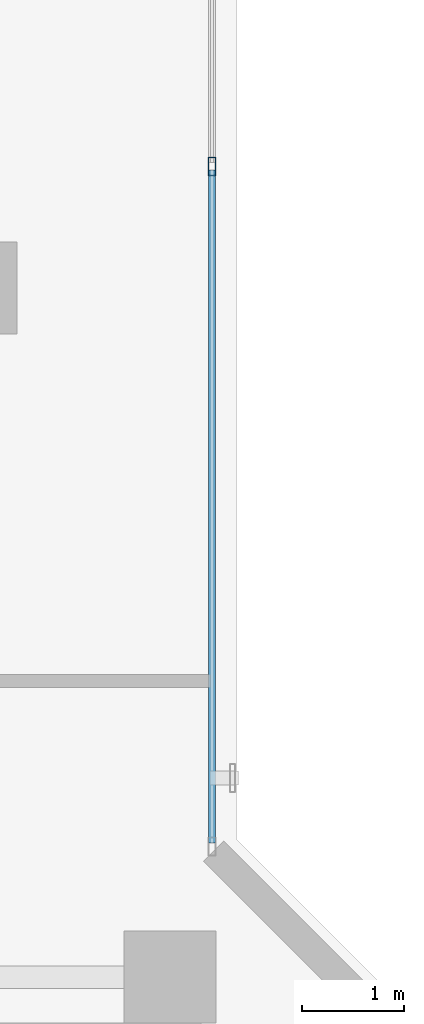
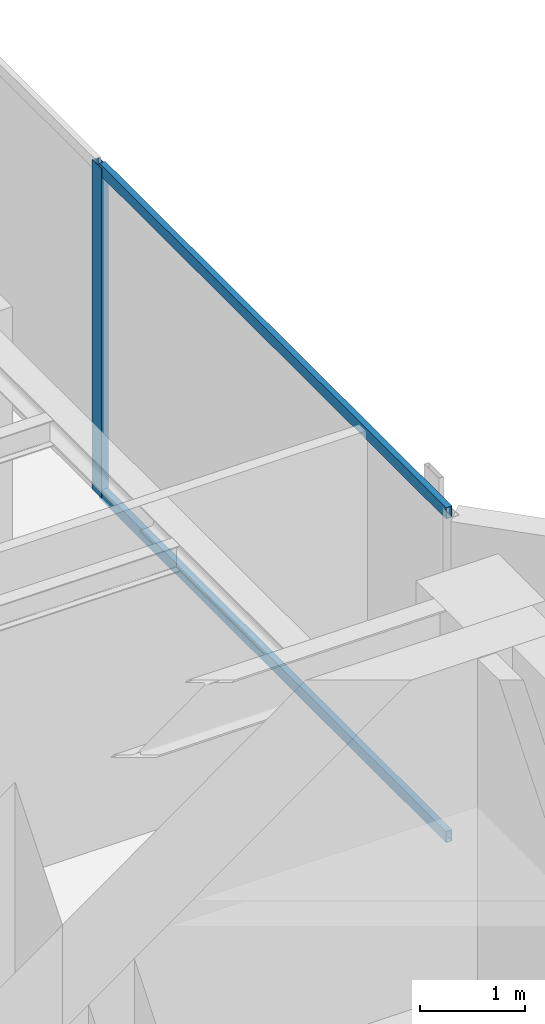
# One storey, part 14 of 32: 3 members, 1 element without a shape of its own.
"""IFC4 building model written with IfcOpenShell, lengths in metres."""

from ifc_helpers import new_model, si_unit, direction, frame, origin, origin_with_axes, origin_2d, place, context, subcontext, project, spatial, hollow_rectangle, extrude, source, transform, mapped, material, layer, layer_set, material_profile, profile_set, type_object, element, aggregate, save


model = new_model("IFC4")

# Units and contexts
model_context = context("Model", 3, precision=1e-05, world=origin(), true_north=direction((0.0, 1.0)))
body_context = subcontext(model_context, "Body", "Model", "MODEL_VIEW")
ifc_project = project(units=[si_unit("LENGTHUNIT", "METRE"), si_unit("AREAUNIT", "SQUARE_METRE"), si_unit("VOLUMEUNIT", "CUBIC_METRE"), si_unit("PLANEANGLEUNIT", "RADIAN"), si_unit("MASSUNIT", "GRAM", prefix="KILO")], contexts=[model_context])

# Site, building, storey
site_placement = place(None, origin())
site = spatial("IfcSite", under=ifc_project, at=site_placement, CompositionType="ELEMENT")
building_placement = place(site_placement, origin())
building = spatial("IfcBuilding", under=site, at=building_placement, Name="Kolvaren Waterfront Exchange", CompositionType="ELEMENT")
storey_placement = place(building_placement, frame((0.0, 0.0, 352.0)))
storey = spatial("IfcBuildingStorey", under=building, at=storey_placement, Name="L90", CompositionType="ELEMENT", Elevation=352.0)

# Curtain wall, members
ifc_material = material(Name="Anodised bronze aluminium 6063-T6", Category="aluminium")
ifc_layer = layer(ifc_material, 0.219970703125, Name="Anodised bronze aluminium 6063-T6")
ifc_layer_set = layer_set([ifc_layer], Name="Anodised bronze aluminium 6063-T6")
curtain_wall_type = type_object("IfcCurtainWallType", Name="ARC-CW-SYS5", PredefinedType="USERDEFINED", material=ifc_layer_set)
curtain_wall_placement = place(storey_placement, origin())
curtain_wall = element("IfcCurtainWall", 1, at=curtain_wall_placement, inside=storey, type_object=curtain_wall_type, Name="L90 stick curtain wall CW5 (CW-L90-NE)", ObjectType="STICK CURTAIN WALL", PredefinedType="USERDEFINED")
ifc_material_profile_1 = material_profile(ifc_material, hollow_rectangle(XDim=0.06494140625, YDim=0.1298828125, WallThickness=0.00390625, at=origin_2d()), Name="ALU-TRN-130x65x4")
ifc_profile_set_1 = profile_set([ifc_material_profile_1], Name="Anodised bronze aluminium 6063-T6")
member_type_1 = type_object("IfcMemberType", Name="ARC-CWT-130", PredefinedType="USERDEFINED", material=ifc_profile_set_1)
shared_shape_1 = source(origin_with_axes(), body_context, "Body", "SweptSolid", [
    extrude(hollow_rectangle(XDim=0.06494140625, YDim=0.1298828125, WallThickness=0.00390625, at=origin_2d()), origin(), (0.0, 0.0, 1.0), 6.5908203125),
])
member_1_placement = place(storey_placement, frame((21.159912109375, 25.764892578125, 0.032470703125), z_axis=(0.0, 1.0, 0.0), x_axis=(-1.0, 0.0, 0.0)))
member_1 = element("IfcMember", 2, at=member_1_placement, type_object=member_type_1, Name="CW5 transom 1.1", ObjectType="TRANSOM", PredefinedType="USERDEFINED", context=body_context, shape_type="MappedRepresentation", body=[
    mapped(shared_shape_1, transform((0.0, 0.0, 0.0), x_axis=(1.0, 0.0, 0.0), y_axis=(0.0, 1.0, 0.0), z_axis=(0.0, 0.0, 1.0), scale=1.0)),
])
member_2_placement = place(storey_placement, frame((21.159912109375, 25.764892578125, 3.78759765625), z_axis=(0.0, 1.0, 0.0), x_axis=(-1.0, 0.0, 0.0)))
member_2 = element("IfcMember", 3, at=member_2_placement, type_object=member_type_1, Name="CW5 transom 1.2", ObjectType="TRANSOM", PredefinedType="USERDEFINED", context=body_context, shape_type="MappedRepresentation", body=[
    mapped(shared_shape_1, transform((0.0, 0.0, 0.0), x_axis=(1.0, 0.0, 0.0), y_axis=(0.0, 1.0, 0.0), z_axis=(0.0, 0.0, 1.0), scale=1.0)),
])
ifc_material_profile_2 = material_profile(ifc_material, hollow_rectangle(XDim=0.074951171875, YDim=0.179931640625, WallThickness=0.00439453125, at=origin_2d()), Name="ALU-MUL-180x75x4.5")
ifc_profile_set_2 = profile_set([ifc_material_profile_2], Name="Anodised bronze aluminium 6063-T6")
member_type_2 = type_object("IfcMemberType", Name="ARC-CWM-180", PredefinedType="MULLION", material=ifc_profile_set_2)
shared_shape_2 = source(origin_with_axes(), body_context, "Body", "SweptSolid", [
    extrude(hollow_rectangle(XDim=0.074951171875, YDim=0.179931640625, WallThickness=0.00439453125, at=origin_2d()), origin(), (0.0, 0.0, 1.0), 3.820068359375),
])
member_3_placement = place(storey_placement, frame((21.159912109375, 32.393310546875, 0.0), z_axis=(0.0, 0.0, 1.0), x_axis=(-1.0, 0.0, 0.0)))
member_3 = element("IfcMember", 4, at=member_3_placement, type_object=member_type_2, Name="CW5 mullion 2", PredefinedType="MULLION", context=body_context, shape_type="MappedRepresentation", body=[
    mapped(shared_shape_2, transform((0.0, 0.0, 0.0), x_axis=(1.0, 0.0, 0.0), y_axis=(0.0, 1.0, 0.0), z_axis=(0.0, 0.0, 1.0), scale=1.0)),
])
aggregate(curtain_wall, [member_3, member_1, member_2])

save(model, "model.ifc")
